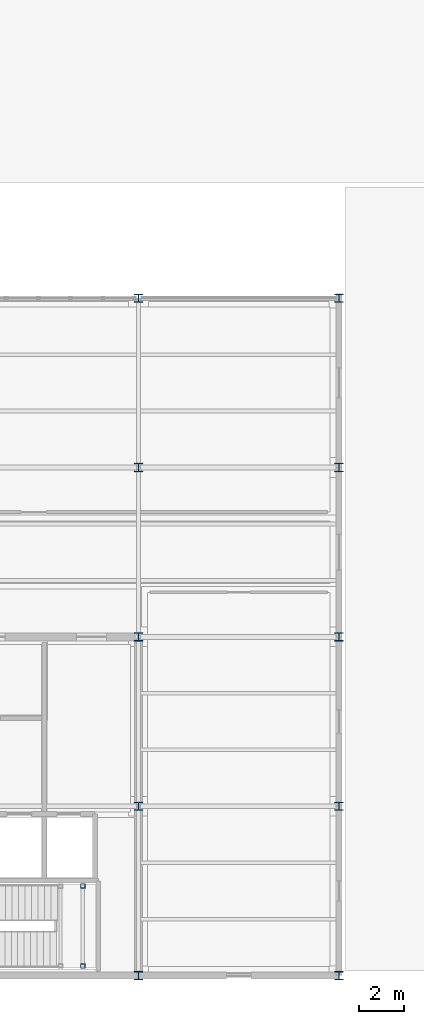
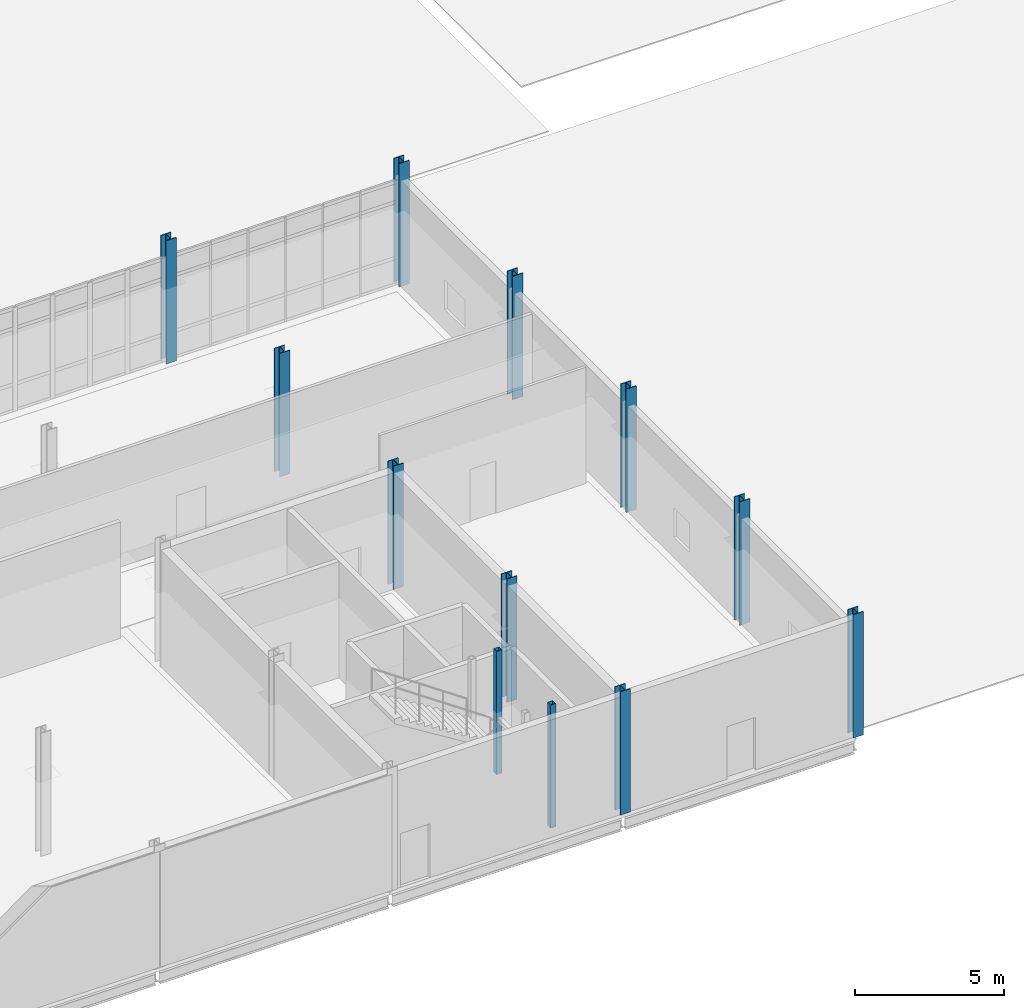
# One storey, part 12 of 161: 12 columns.
"""IFC4 building model written with IfcOpenShell, lengths in metres."""

from ifc_helpers import new_model, si_unit, direction, frame, origin, origin_2d, place, context, subcontext, project, spatial, hollow_rectangle, i_section, extrude, material, material_profile, profile_set, type_object, element, save


model = new_model("IFC4")

# Units and contexts
model_context = context("Model", 3, precision=1e-05, world=origin(), true_north=direction((0.0, 1.0)))
body_context = subcontext(model_context, "Body", "Model", "MODEL_VIEW")
ifc_project = project(units=[si_unit("LENGTHUNIT", "METRE"), si_unit("AREAUNIT", "SQUARE_METRE"), si_unit("VOLUMEUNIT", "CUBIC_METRE"), si_unit("PLANEANGLEUNIT", "RADIAN"), si_unit("MASSUNIT", "GRAM", prefix="KILO")], contexts=[model_context])

# Site, building, storey
site_placement = place(None, origin())
site = spatial("IfcSite", under=ifc_project, at=site_placement, CompositionType="ELEMENT")
building_placement = place(site_placement, origin())
building = spatial("IfcBuilding", under=site, at=building_placement, Name="Caisbarro Railhouse Central Library", CompositionType="ELEMENT")
storey_placement = place(building_placement, origin())
storey = spatial("IfcBuildingStorey", under=building, at=storey_placement, Name="L00", CompositionType="ELEMENT", Elevation=0.0)

# Columns
ifc_material = material(Name="Steel ASTM A572 Grade 50", Category="steel")
ifc_material_profile_1 = material_profile(ifc_material, i_section(OverallWidth=0.39404296875, OverallDepth=0.375, WebThickness=0.017333984375, FlangeThickness=0.027587890625, FilletRadius=0.01806640625, at=origin_2d()), Name="W360X216.0")
ifc_profile_set_1 = profile_set([ifc_material_profile_1], Name="Steel ASTM A572 Grade 50")
column_type_1 = type_object("IfcColumnType", Name="COL-C01", PredefinedType="COLUMN", material=ifc_profile_set_1)
for number, where, z_axis, x_axis, name in (
    (1, (99.0, 0.0, 0.0), (0.0, 0.0, 1.0), (1.0, 0.0, 0.0), "C01 column L00 (99.0,0.0)"),
    (2, (99.0, 7.60009765625, 0.0), (0.0, 0.0, 1.0), (1.0, 0.0, 0.0), "C01 column L00 (99.0,7.6)"),
    (3, (99.0, 15.199951171875, 0.0), (0.0, 0.0, 1.0), (1.0, 0.0, 0.0), "C01 column L00 (99.0,15.2)"),
    (4, (99.0, 22.800048828125, 0.0), (0.0, 0.0, 1.0), (1.0, 0.0, 0.0), "C01 column L00 (99.0,22.8)"),
    (5, (99.0, 30.39990234375, 0.0), (0.0, 0.0, 1.0), (1.0, 0.0, 0.0), "C01 column L00 (99.0,30.4)"),
    (6, (108.0, 0.0, 0.0), (0.0, 0.0, 1.0), (1.0, 0.0, 0.0), "C01 column L00 (108.0,0.0)"),
    (7, (108.0, 7.60009765625, 0.0), (0.0, 0.0, 1.0), (1.0, 0.0, 0.0), "C01 column L00 (108.0,7.6)"),
    (8, (108.0, 15.199951171875, 0.0), (0.0, 0.0, 1.0), (1.0, 0.0, 0.0), "C01 column L00 (108.0,15.2)"),
    (9, (108.0, 22.800048828125, 0.0), (0.0, 0.0, 1.0), (1.0, 0.0, 0.0), "C01 column L00 (108.0,22.8)"),
    (10, (108.0, 30.39990234375, 0.0), (0.0, 0.0, 1.0), (1.0, 0.0, 0.0), "C01 column L00 (108.0,30.4)"),
):
    element("IfcColumn", number, at=place(storey_placement, frame(where, z_axis=z_axis, x_axis=x_axis)), inside=storey, type_object=column_type_1, Name=name, PredefinedType="COLUMN", context=body_context, shape_type="SweptSolid", body=[
        extrude(i_section(OverallWidth=0.39404296875, OverallDepth=0.375, WebThickness=0.017333984375, FlangeThickness=0.027587890625, FilletRadius=0.01806640625, at=origin_2d()), origin(), (0.0, 0.0, 1.0), 5.0400390625),
    ])
ifc_material_profile_2 = material_profile(ifc_material, hollow_rectangle(XDim=0.199951171875, YDim=0.199951171875, WallThickness=0.012451171875, at=origin_2d()), Name="HSS200X200X12.5")
ifc_profile_set_2 = profile_set([ifc_material_profile_2], Name="Steel ASTM A572 Grade 50")
column_type_2 = type_object("IfcColumnType", Name="COL-C10", PredefinedType="COLUMN", material=ifc_profile_set_2)
for number, where, z_axis, x_axis, name in (
    (11, (96.5, 0.419921875, 0.0), (0.0, 0.0, 1.0), (1.0, 0.0, 0.0), "C10 Stair Landing Post K2 L00.3"),
    (12, (96.5, 4.030029296875, 0.0), (0.0, 0.0, 1.0), (1.0, 0.0, 0.0), "C10 Stair Landing Post K2 L00.4"),
):
    element("IfcColumn", number, at=place(storey_placement, frame(where, z_axis=z_axis, x_axis=x_axis)), inside=storey, type_object=column_type_2, Name=name, PredefinedType="COLUMN", context=body_context, shape_type="SweptSolid", body=[
        extrude(hollow_rectangle(XDim=0.199951171875, YDim=0.199951171875, WallThickness=0.012451171875, at=origin_2d()), origin(), (0.0, 0.0, 1.0), 5.0400390625),
    ])

save(model, "model.ifc")
